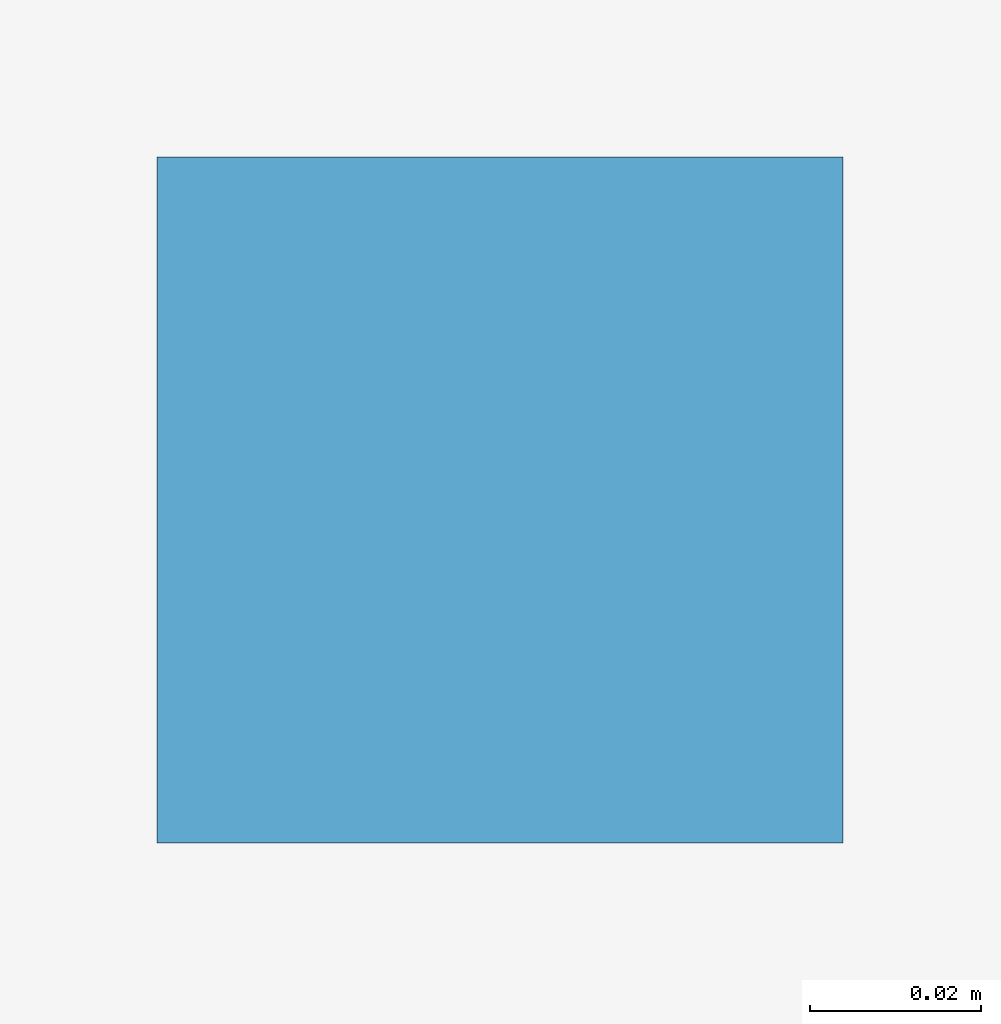
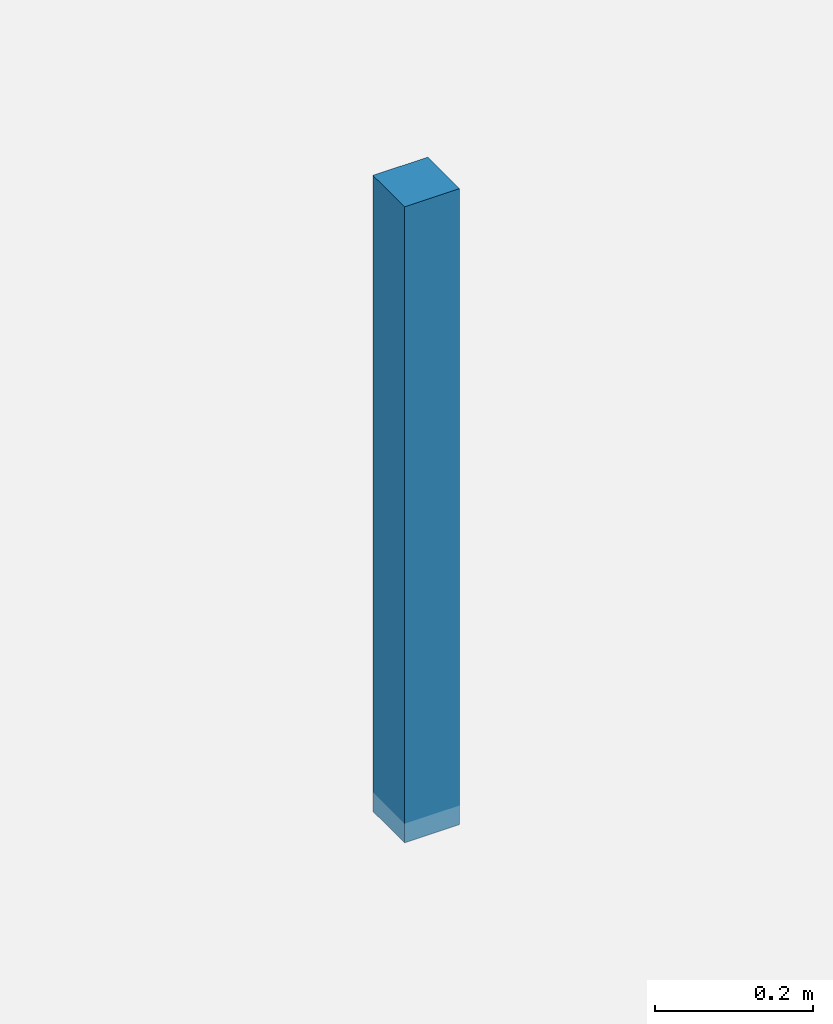
# One storey, part 11 of 15: 1 discrete accessory.
"""IFC4 building model written with IfcOpenShell, lengths in metres."""

from ifc_helpers import new_model, si_unit, direction, frame, origin, origin_2d, place, context, subcontext, project, spatial, rectangle, extrude, source, transform, mapped, material, type_object, element, save


model = new_model("IFC4")

# Units and contexts
model_context = context("Model", 3, precision=1e-05, world=origin(), true_north=direction((0.0, 1.0)))
body_context = subcontext(model_context, "Body", "Model", "MODEL_VIEW")
ifc_project = project(units=[si_unit("LENGTHUNIT", "METRE"), si_unit("AREAUNIT", "SQUARE_METRE"), si_unit("VOLUMEUNIT", "CUBIC_METRE"), si_unit("PLANEANGLEUNIT", "RADIAN"), si_unit("MASSUNIT", "GRAM", prefix="KILO")], contexts=[model_context])

# Site, building, storey
site_placement = place(None, origin())
site = spatial("IfcSite", under=ifc_project, at=site_placement, CompositionType="ELEMENT")
building_placement = place(site_placement, origin())
building = spatial("IfcBuilding", under=site, at=building_placement, Name="Giltprow Tower", CompositionType="ELEMENT")
storey_placement = place(building_placement, frame((0.0, 0.0, 119.199951171875)))
storey = spatial("IfcBuildingStorey", under=building, at=storey_placement, Name="L29", CompositionType="ELEMENT", Elevation=119.199951171875)

# Discrete accessory
ifc_material = material(Name="Structural steel Q355B", Category="steel")
discrete_accessory_type = type_object("IfcDiscreteAccessoryType", Name="ACC-CLG-HANGER", PredefinedType="BRACKET", material=ifc_material)
shared_shape = source(origin(), body_context, "Body", "SweptSolid", [
    extrude(rectangle(XDim=0.080078125, YDim=0.080078125, at=origin_2d()), origin(), (0.0, 0.0, 1.0), 0.97998046875),
])
discrete_accessory_placement = place(storey_placement, frame((25.39990234375, 21.083984375, 2.719970703125), z_axis=(0.0, 0.0, 1.0), x_axis=(1.0, 0.0, 0.0)))
element("IfcDiscreteAccessory", 1, at=discrete_accessory_placement, inside=storey, type_object=discrete_accessory_type, Name="L29 Office Acoustic Ceiling Suspension Hanger", PredefinedType="BRACKET", context=body_context, shape_type="MappedRepresentation", body=[
    mapped(shared_shape, transform((0.0, 0.0, 0.0), x_axis=(1.0, 0.0, 0.0), y_axis=(0.0, 1.0, 0.0), z_axis=(0.0, 0.0, 1.0), scale=1.0)),
])

save(model, "model.ifc")
